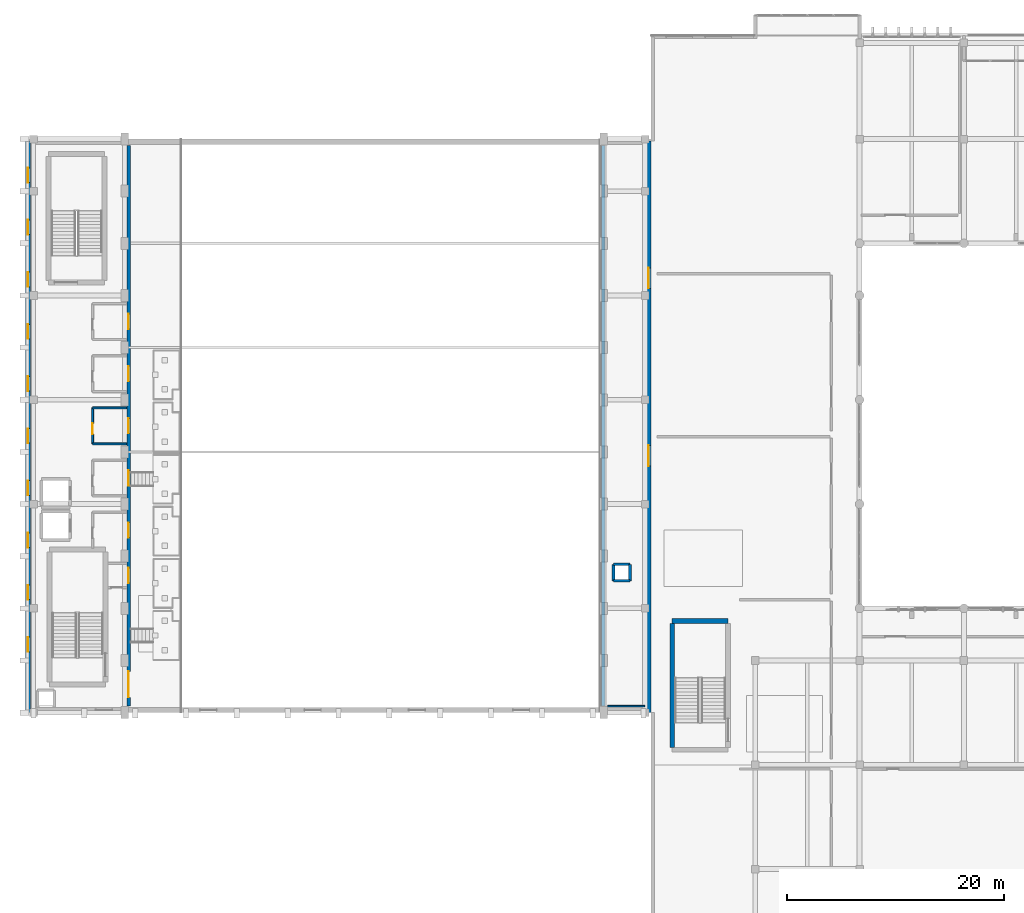
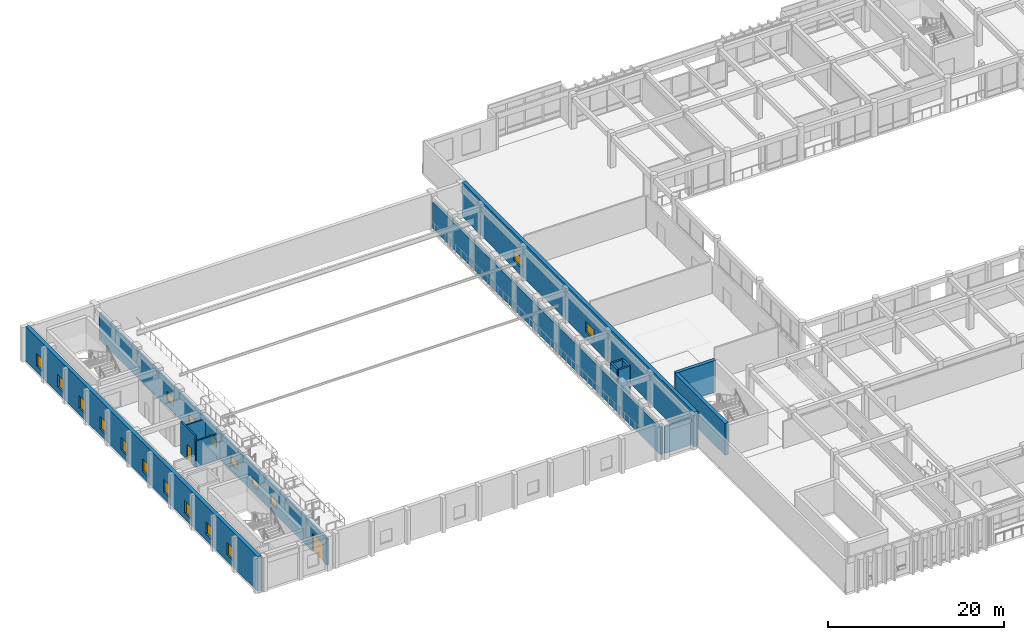
# One storey, part 99 of 133: 18 windows, 14 walls, 2 doors, 20 openings.
"""IFC4 building model written with IfcOpenShell, lengths in metres."""

from ifc_helpers import new_model, si_unit, direction, frame, frame_2d, origin, place, context, subcontext, project, spatial, rectangle, extrude, material, layer, layer_set, type_object, element, fill, save


model = new_model("IFC4")

# Units and contexts
model_context = context("Model", 3, precision=1e-05, world=origin(), true_north=direction((0.0, 1.0)))
body_context = subcontext(model_context, "Body", "Model", "MODEL_VIEW")
ifc_project = project(units=[si_unit("LENGTHUNIT", "METRE"), si_unit("AREAUNIT", "SQUARE_METRE"), si_unit("VOLUMEUNIT", "CUBIC_METRE"), si_unit("PLANEANGLEUNIT", "RADIAN"), si_unit("MASSUNIT", "GRAM", prefix="KILO")], contexts=[model_context])

# Site, building, storey
site_placement = place(None, origin())
site = spatial("IfcSite", under=ifc_project, at=site_placement, CompositionType="ELEMENT")
building_placement = place(site_placement, origin())
building = spatial("IfcBuilding", under=site, at=building_placement, Name="Nakhvara Creek Congress Hotel", CompositionType="ELEMENT")
storey_placement = place(building_placement, frame((0.0, 0.0, 11.39990234375)))
storey = spatial("IfcBuildingStorey", under=building, at=storey_placement, Name="L02", CompositionType="ELEMENT", Elevation=11.39990234375)

# Walls
ifc_material_1 = material(Name="Moisture-resistant blockwork and plaster", Category="masonry")
ifc_layer_1 = layer(ifc_material_1, 0.159912109375)
ifc_layer_set_1 = layer_set([ifc_layer_1], Name="Moisture-resistant blockwork and plaster")
wall_type_1 = type_object("IfcWallType", Name="W-BOH-160", PredefinedType="PARTITIONING", material=ifc_layer_set_1)
wall_1_placement = place(storey_placement, frame((53.60009765625, 34.199951171875, 0.0), z_axis=(0.0, 0.0, 1.0), x_axis=(1.0, 0.0, 0.0)))
element("IfcWall", 1, at=wall_1_placement, inside=storey, type_object=wall_type_1, Name="Interior Wall WP14-IW-L02-0125", PredefinedType="PARTITIONING", context=body_context, shape_type="SweptSolid", body=[
    extrude(rectangle(XDim=3.39990234375, YDim=0.159912109375, at=frame_2d((1.699951171875, 0.0))), origin(), (0.0, 0.0, 1.0), 3.692138671875),
])
ifc_material_2 = material(Name="Concrete C50/60", Category="concrete")
ifc_layer_2 = layer(ifc_material_2, 0.449951171875)
ifc_layer_set_2 = layer_set([ifc_layer_2], Name="Concrete C50/60")
wall_type_2 = type_object("IfcWallType", Name="W-CORE-450", PredefinedType="SHEAR", material=ifc_layer_set_2)
wall_2_placement = place(storey_placement, frame((59.550048828125, 42.02001953125, 0.0), z_axis=(0.0, 0.0, 1.0), x_axis=(1.0, 0.0, 0.0)))
element("IfcWall", 2, at=wall_2_placement, inside=storey, type_object=wall_type_2, Name="Core Shear Wall WS02-CWALL-L02-0996", PredefinedType="SHEAR", context=body_context, shape_type="SweptSolid", body=[
    extrude(rectangle(XDim=5.14990234375, YDim=0.449951171875, at=frame_2d((2.574951171875, 0.0))), origin(), (0.0, 0.0, 1.0), 4.420166015625),
])
wall_3_placement = place(storey_placement, frame((59.550048828125, 30.39990234375, 0.0), z_axis=(0.0, 0.0, 1.0), x_axis=(0.0, 1.0, 0.0)))
element("IfcWall", 3, at=wall_3_placement, inside=storey, type_object=wall_type_2, Name="Core Shear Wall WS02-CWALL-L02-0997", PredefinedType="SHEAR", context=body_context, shape_type="SweptSolid", body=[
    extrude(rectangle(XDim=11.400146484375, YDim=0.449951171875, at=frame_2d((5.7001953125, 0.0))), origin(), (0.0, 0.0, 1.0), 4.420166015625),
])

# Wall, openings, windows
ifc_material_3 = material(Name="Honed pale Omani limestone cladding", Category="masonry")
ifc_layer_3 = layer(ifc_material_3, 0.06005859375)
ifc_material_4 = material(Name="Mineral wool thermal insulation")
ifc_layer_4 = layer(ifc_material_4, 0.1201171875)
ifc_material_5 = material(Name="Precast concrete C40/50", Category="concrete")
ifc_layer_5 = layer(ifc_material_5, 0.300048828125)
ifc_layer_set_3 = layer_set([ifc_layer_3, ifc_layer_4, ifc_layer_5], Name="Precast concrete C40/50")
wall_type_3 = type_object("IfcWallType", Name="W-HALL-480", PredefinedType="SOLIDWALL", material=ifc_layer_set_3)
wall_4_placement = place(storey_placement, frame((0.239990234375, 33.60009765625, 0.0), z_axis=(0.0, 0.0, 1.0), x_axis=(0.0, 1.0, 0.0)))
wall_4 = element("IfcWall", 4, at=wall_4_placement, inside=storey, type_object=wall_type_3, Name="Exterior Wall WE01-EW-L02-0064", PredefinedType="SOLIDWALL", context=body_context, shape_type="SweptSolid", body=[
    extrude(rectangle(XDim=52.599853515625, YDim=0.47998046875, at=frame_2d((26.2998046875, 0.0))), origin(), (0.0, 0.0, 1.0), 4.800048828125),
])
opening_1_placement = place(wall_4_placement, frame((5.60009765625, 0.0, 0.85009765625)))
opening_1 = element("IfcOpeningElement", 5, at=opening_1_placement, cuts=wall_4, Name="Opening WN0067", PredefinedType="OPENING", context=body_context, shape_type="SweptSolid", body=[
    extrude(rectangle(XDim=1.35009765625, YDim=1.72998046875, at=frame_2d((0.675048828125, 0.864990234375))), frame((0.0, 0.251953125, 0.0), z_axis=(0.0, -1.0, 0.0), x_axis=(1.0, 0.0, 0.0)), (0.0, 0.0, 1.0), 0.50390625),
])
opening_2_placement = place(wall_4_placement, frame((10.39990234375, 0.0, 0.85009765625)))
opening_2 = element("IfcOpeningElement", 6, at=opening_2_placement, cuts=wall_4, Name="Opening WN0068", PredefinedType="OPENING", context=body_context, shape_type="SweptSolid", body=[
    extrude(rectangle(XDim=1.35009765625, YDim=1.72998046875, at=frame_2d((0.675048828125, 0.864990234375))), frame((0.0, 0.251953125, 0.0), z_axis=(0.0, -1.0, 0.0), x_axis=(1.0, 0.0, 0.0)), (0.0, 0.0, 1.0), 0.50390625),
])
opening_3_placement = place(wall_4_placement, frame((15.199951171875, 0.0, 0.85009765625)))
opening_3 = element("IfcOpeningElement", 7, at=opening_3_placement, cuts=wall_4, Name="Opening WN0069", PredefinedType="OPENING", context=body_context, shape_type="SweptSolid", body=[
    extrude(rectangle(XDim=1.35009765625, YDim=1.72998046875, at=frame_2d((0.675048828125, 0.864990234375))), frame((0.0, 0.251953125, 0.0), z_axis=(0.0, -1.0, 0.0), x_axis=(1.0, 0.0, 0.0)), (0.0, 0.0, 1.0), 0.50390625),
])
opening_4_placement = place(wall_4_placement, frame((20.0, 0.0, 0.85009765625)))
opening_4 = element("IfcOpeningElement", 8, at=opening_4_placement, cuts=wall_4, Name="Opening WN0070", PredefinedType="OPENING", context=body_context, shape_type="SweptSolid", body=[
    extrude(rectangle(XDim=1.35009765625, YDim=1.72998046875, at=frame_2d((0.675048828125, 0.864990234375))), frame((0.0, 0.251953125, 0.0), z_axis=(0.0, -1.0, 0.0), x_axis=(1.0, 0.0, 0.0)), (0.0, 0.0, 1.0), 0.50390625),
])
opening_5_placement = place(wall_4_placement, frame((24.800048828125, 0.0, 0.85009765625)))
opening_5 = element("IfcOpeningElement", 9, at=opening_5_placement, cuts=wall_4, Name="Opening WN0071", PredefinedType="OPENING", context=body_context, shape_type="SweptSolid", body=[
    extrude(rectangle(XDim=1.35009765625, YDim=1.72998046875, at=frame_2d((0.675048828125, 0.864990234375))), frame((0.0, 0.251953125, 0.0), z_axis=(0.0, -1.0, 0.0), x_axis=(1.0, 0.0, 0.0)), (0.0, 0.0, 1.0), 0.50390625),
])
opening_6_placement = place(wall_4_placement, frame((29.60009765625, 0.0, 0.85009765625)))
opening_6 = element("IfcOpeningElement", 10, at=opening_6_placement, cuts=wall_4, Name="Opening WN0072", PredefinedType="OPENING", context=body_context, shape_type="SweptSolid", body=[
    extrude(rectangle(XDim=1.35009765625, YDim=1.72998046875, at=frame_2d((0.675048828125, 0.864990234375))), frame((0.0, 0.251953125, 0.0), z_axis=(0.0, -1.0, 0.0), x_axis=(1.0, 0.0, 0.0)), (0.0, 0.0, 1.0), 0.50390625),
])
opening_7_placement = place(wall_4_placement, frame((34.39990234375, 0.0, 0.85009765625)))
opening_7 = element("IfcOpeningElement", 11, at=opening_7_placement, cuts=wall_4, Name="Opening WN0073", PredefinedType="OPENING", context=body_context, shape_type="SweptSolid", body=[
    extrude(rectangle(XDim=1.35009765625, YDim=1.72998046875, at=frame_2d((0.675048828125, 0.864990234375))), frame((0.0, 0.251953125, 0.0), z_axis=(0.0, -1.0, 0.0), x_axis=(1.0, 0.0, 0.0)), (0.0, 0.0, 1.0), 0.50390625),
])
opening_8_placement = place(wall_4_placement, frame((39.199951171875, 0.0, 0.85009765625)))
opening_8 = element("IfcOpeningElement", 12, at=opening_8_placement, cuts=wall_4, Name="Opening WN0074", PredefinedType="OPENING", context=body_context, shape_type="SweptSolid", body=[
    extrude(rectangle(XDim=1.35009765625, YDim=1.72998046875, at=frame_2d((0.675048828125, 0.864990234375))), frame((0.0, 0.251953125, 0.0), z_axis=(0.0, -1.0, 0.0), x_axis=(1.0, 0.0, 0.0)), (0.0, 0.0, 1.0), 0.50390625),
])
opening_9_placement = place(wall_4_placement, frame((44.0, 0.0, 0.85009765625)))
opening_9 = element("IfcOpeningElement", 13, at=opening_9_placement, cuts=wall_4, Name="Opening WN0075", PredefinedType="OPENING", context=body_context, shape_type="SweptSolid", body=[
    extrude(rectangle(XDim=1.35009765625, YDim=1.72998046875, at=frame_2d((0.675048828125, 0.864990234375))), frame((0.0, 0.251953125, 0.0), z_axis=(0.0, -1.0, 0.0), x_axis=(1.0, 0.0, 0.0)), (0.0, 0.0, 1.0), 0.50390625),
])
opening_10_placement = place(wall_4_placement, frame((48.800048828125, 0.0, 0.85009765625)))
opening_10 = element("IfcOpeningElement", 14, at=opening_10_placement, cuts=wall_4, Name="Opening WN0076", PredefinedType="OPENING", context=body_context, shape_type="SweptSolid", body=[
    extrude(rectangle(XDim=1.35009765625, YDim=1.72998046875, at=frame_2d((0.675048828125, 0.864990234375))), frame((0.0, 0.251953125, 0.0), z_axis=(0.0, -1.0, 0.0), x_axis=(1.0, 0.0, 0.0)), (0.0, 0.0, 1.0), 0.50390625),
])
ifc_material_6 = material(Name="Thermally broken bronze-anodised aluminium and double-silver low-E insulated glass", Category="aluminium")
window_type_1 = type_object("IfcWindowType", Name="WN-LAN-135X220", PartitioningType="SINGLE_PANEL", PredefinedType="WINDOW", material=ifc_material_6)
window_1_placement = place(opening_1_placement, origin())
window_1 = element("IfcWindow", 15, at=window_1_placement, inside=storey, type_object=window_type_1, Name="Facade Window WN0067", OverallHeight=1.72998046875, OverallWidth=1.35009765625, PartitioningType="SINGLE_PANEL", PredefinedType="WINDOW", context=body_context, shape_type="SweptSolid", body=[
    extrude(rectangle(XDim=1.35009765625, YDim=1.72998046875, at=frame_2d((0.675048828125, 0.864990234375))), frame((0.0, 0.030029296875, 0.0), z_axis=(0.0, -1.0, 0.0), x_axis=(1.0, 0.0, 0.0)), (0.0, 0.0, 1.0), 0.06005859375),
])
fill(opening_1, window_1)
window_2_placement = place(opening_2_placement, origin())
window_2 = element("IfcWindow", 16, at=window_2_placement, inside=storey, type_object=window_type_1, Name="Facade Window WN0068", OverallHeight=1.72998046875, OverallWidth=1.35009765625, PartitioningType="SINGLE_PANEL", PredefinedType="WINDOW", context=body_context, shape_type="SweptSolid", body=[
    extrude(rectangle(XDim=1.35009765625, YDim=1.72998046875, at=frame_2d((0.675048828125, 0.864990234375))), frame((0.0, 0.030029296875, 0.0), z_axis=(0.0, -1.0, 0.0), x_axis=(1.0, 0.0, 0.0)), (0.0, 0.0, 1.0), 0.06005859375),
])
fill(opening_2, window_2)
window_3_placement = place(opening_3_placement, origin())
window_3 = element("IfcWindow", 17, at=window_3_placement, inside=storey, type_object=window_type_1, Name="Facade Window WN0069", OverallHeight=1.72998046875, OverallWidth=1.35009765625, PartitioningType="SINGLE_PANEL", PredefinedType="WINDOW", context=body_context, shape_type="SweptSolid", body=[
    extrude(rectangle(XDim=1.35009765625, YDim=1.72998046875, at=frame_2d((0.675048828125, 0.864990234375))), frame((0.0, 0.030029296875, 0.0), z_axis=(0.0, -1.0, 0.0), x_axis=(1.0, 0.0, 0.0)), (0.0, 0.0, 1.0), 0.06005859375),
])
fill(opening_3, window_3)
window_4_placement = place(opening_4_placement, origin())
window_4 = element("IfcWindow", 18, at=window_4_placement, inside=storey, type_object=window_type_1, Name="Facade Window WN0070", OverallHeight=1.72998046875, OverallWidth=1.35009765625, PartitioningType="SINGLE_PANEL", PredefinedType="WINDOW", context=body_context, shape_type="SweptSolid", body=[
    extrude(rectangle(XDim=1.35009765625, YDim=1.72998046875, at=frame_2d((0.675048828125, 0.864990234375))), frame((0.0, 0.030029296875, 0.0), z_axis=(0.0, -1.0, 0.0), x_axis=(1.0, 0.0, 0.0)), (0.0, 0.0, 1.0), 0.06005859375),
])
fill(opening_4, window_4)
window_5_placement = place(opening_5_placement, origin())
window_5 = element("IfcWindow", 19, at=window_5_placement, inside=storey, type_object=window_type_1, Name="Facade Window WN0071", OverallHeight=1.72998046875, OverallWidth=1.35009765625, PartitioningType="SINGLE_PANEL", PredefinedType="WINDOW", context=body_context, shape_type="SweptSolid", body=[
    extrude(rectangle(XDim=1.35009765625, YDim=1.72998046875, at=frame_2d((0.675048828125, 0.864990234375))), frame((0.0, 0.030029296875, 0.0), z_axis=(0.0, -1.0, 0.0), x_axis=(1.0, 0.0, 0.0)), (0.0, 0.0, 1.0), 0.06005859375),
])
fill(opening_5, window_5)
window_6_placement = place(opening_6_placement, origin())
window_6 = element("IfcWindow", 20, at=window_6_placement, inside=storey, type_object=window_type_1, Name="Facade Window WN0072", OverallHeight=1.72998046875, OverallWidth=1.35009765625, PartitioningType="SINGLE_PANEL", PredefinedType="WINDOW", context=body_context, shape_type="SweptSolid", body=[
    extrude(rectangle(XDim=1.35009765625, YDim=1.72998046875, at=frame_2d((0.675048828125, 0.864990234375))), frame((0.0, 0.030029296875, 0.0), z_axis=(0.0, -1.0, 0.0), x_axis=(1.0, 0.0, 0.0)), (0.0, 0.0, 1.0), 0.06005859375),
])
fill(opening_6, window_6)
window_7_placement = place(opening_7_placement, origin())
window_7 = element("IfcWindow", 21, at=window_7_placement, inside=storey, type_object=window_type_1, Name="Facade Window WN0073", OverallHeight=1.72998046875, OverallWidth=1.35009765625, PartitioningType="SINGLE_PANEL", PredefinedType="WINDOW", context=body_context, shape_type="SweptSolid", body=[
    extrude(rectangle(XDim=1.35009765625, YDim=1.72998046875, at=frame_2d((0.675048828125, 0.864990234375))), frame((0.0, 0.030029296875, 0.0), z_axis=(0.0, -1.0, 0.0), x_axis=(1.0, 0.0, 0.0)), (0.0, 0.0, 1.0), 0.06005859375),
])
fill(opening_7, window_7)
window_8_placement = place(opening_8_placement, origin())
window_8 = element("IfcWindow", 22, at=window_8_placement, inside=storey, type_object=window_type_1, Name="Facade Window WN0074", OverallHeight=1.72998046875, OverallWidth=1.35009765625, PartitioningType="SINGLE_PANEL", PredefinedType="WINDOW", context=body_context, shape_type="SweptSolid", body=[
    extrude(rectangle(XDim=1.35009765625, YDim=1.72998046875, at=frame_2d((0.675048828125, 0.864990234375))), frame((0.0, 0.030029296875, 0.0), z_axis=(0.0, -1.0, 0.0), x_axis=(1.0, 0.0, 0.0)), (0.0, 0.0, 1.0), 0.06005859375),
])
fill(opening_8, window_8)
window_9_placement = place(opening_9_placement, origin())
window_9 = element("IfcWindow", 23, at=window_9_placement, inside=storey, type_object=window_type_1, Name="Facade Window WN0075", OverallHeight=1.72998046875, OverallWidth=1.35009765625, PartitioningType="SINGLE_PANEL", PredefinedType="WINDOW", context=body_context, shape_type="SweptSolid", body=[
    extrude(rectangle(XDim=1.35009765625, YDim=1.72998046875, at=frame_2d((0.675048828125, 0.864990234375))), frame((0.0, 0.030029296875, 0.0), z_axis=(0.0, -1.0, 0.0), x_axis=(1.0, 0.0, 0.0)), (0.0, 0.0, 1.0), 0.06005859375),
])
fill(opening_9, window_9)
window_10_placement = place(opening_10_placement, origin())
window_10 = element("IfcWindow", 24, at=window_10_placement, inside=storey, type_object=window_type_1, Name="Facade Window WN0076", OverallHeight=1.72998046875, OverallWidth=1.35009765625, PartitioningType="SINGLE_PANEL", PredefinedType="WINDOW", context=body_context, shape_type="SweptSolid", body=[
    extrude(rectangle(XDim=1.35009765625, YDim=1.72998046875, at=frame_2d((0.675048828125, 0.864990234375))), frame((0.0, 0.030029296875, 0.0), z_axis=(0.0, -1.0, 0.0), x_axis=(1.0, 0.0, 0.0)), (0.0, 0.0, 1.0), 0.06005859375),
])
fill(opening_10, window_10)

wall_5_placement = place(storey_placement, frame((57.360107421875, 86.199951171875, 0.0), z_axis=(0.0, 0.0, 1.0), x_axis=(0.0, -1.0, 0.0)))
wall_5 = element("IfcWall", 25, at=wall_5_placement, inside=storey, type_object=wall_type_3, Name="Exterior Wall WE01-EW-L02-0065", PredefinedType="SOLIDWALL", context=body_context, shape_type="SweptSolid", body=[
    extrude(rectangle(XDim=52.599853515625, YDim=0.47998046875, at=frame_2d((26.2998046875, 0.0))), origin(), (0.0, 0.0, 1.0), 4.800048828125),
])
opening_11_placement = place(wall_5_placement, frame((11.64990234375, 0.0, 1.0)))
opening_11 = element("IfcOpeningElement", 26, at=opening_11_placement, cuts=wall_5, Name="Opening WN0077", PredefinedType="OPENING", context=body_context, shape_type="SweptSolid", body=[
    extrude(rectangle(XDim=1.89990234375, YDim=1.449951171875, at=frame_2d((0.949951171875, 0.72509765625))), frame((0.0, 0.251953125, 0.0), z_axis=(0.0, -1.0, 0.0), x_axis=(1.0, 0.0, 0.0)), (0.0, 0.0, 1.0), 0.50390625),
])
opening_12_placement = place(wall_5_placement, frame((28.0, 0.0, 1.0)))
opening_12 = element("IfcOpeningElement", 27, at=opening_12_placement, cuts=wall_5, Name="Opening WN0078", PredefinedType="OPENING", context=body_context, shape_type="SweptSolid", body=[
    extrude(rectangle(XDim=1.89990234375, YDim=1.449951171875, at=frame_2d((0.949951171875, 0.72509765625))), frame((0.0, 0.251953125, 0.0), z_axis=(0.0, -1.0, 0.0), x_axis=(1.0, 0.0, 0.0)), (0.0, 0.0, 1.0), 0.50390625),
])
window_type_2 = type_object("IfcWindowType", Name="WN-CLR-190X145", PartitioningType="SINGLE_PANEL", PredefinedType="WINDOW", material=ifc_material_6)
window_11_placement = place(opening_11_placement, origin())
window_11 = element("IfcWindow", 28, at=window_11_placement, inside=storey, type_object=window_type_2, Name="Facade Window WN0077", OverallHeight=1.449951171875, OverallWidth=1.89990234375, PartitioningType="SINGLE_PANEL", PredefinedType="WINDOW", context=body_context, shape_type="SweptSolid", body=[
    extrude(rectangle(XDim=1.89990234375, YDim=1.449951171875, at=frame_2d((0.949951171875, 0.72509765625))), frame((0.0, 0.030029296875, 0.0), z_axis=(0.0, -1.0, 0.0), x_axis=(1.0, 0.0, 0.0)), (0.0, 0.0, 1.0), 0.06005859375),
])
fill(opening_11, window_11)
window_12_placement = place(opening_12_placement, origin())
window_12 = element("IfcWindow", 29, at=window_12_placement, inside=storey, type_object=window_type_2, Name="Facade Window WN0078", OverallHeight=1.449951171875, OverallWidth=1.89990234375, PartitioningType="SINGLE_PANEL", PredefinedType="WINDOW", context=body_context, shape_type="SweptSolid", body=[
    extrude(rectangle(XDim=1.89990234375, YDim=1.449951171875, at=frame_2d((0.949951171875, 0.72509765625))), frame((0.0, 0.030029296875, 0.0), z_axis=(0.0, -1.0, 0.0), x_axis=(1.0, 0.0, 0.0)), (0.0, 0.0, 1.0), 0.06005859375),
])
fill(opening_12, window_12)

# Wall, opening, door
ifc_material_7 = material(Name="Gypsum acoustic board on steel stud", Category="steel")
ifc_layer_6 = layer(ifc_material_7, 0.179931640625)
ifc_layer_set_4 = layer_set([ifc_layer_6], Name="Gypsum acoustic board on steel stud")
wall_type_4 = type_object("IfcWallType", Name="W-MEET-180", PredefinedType="PARTITIONING", material=ifc_layer_set_4)
wall_6_placement = place(storey_placement, frame((6.199951171875, 58.35009765625, 0.0), z_axis=(0.0, 0.0, 1.0), x_axis=(0.0, 1.0, 0.0)))
wall_6 = element("IfcWall", 30, at=wall_6_placement, inside=storey, type_object=wall_type_4, Name="Interior Wall WP13-IW-L02-0018", PredefinedType="PARTITIONING", context=body_context, shape_type="SweptSolid", body=[
    extrude(rectangle(XDim=3.2998046875, YDim=0.179931640625, at=frame_2d((1.64990234375, 0.0))), origin(), (0.0, 0.0, 1.0), 4.420166015625),
])
opening_13_placement = place(wall_6_placement, frame((0.89990234375, 0.0, 0.0)))
opening_13 = element("IfcOpeningElement", 31, at=opening_13_placement, cuts=wall_6, Name="Opening MD03", PredefinedType="OPENING", context=body_context, shape_type="SweptSolid", body=[
    extrude(rectangle(XDim=0.97998046875, YDim=2.14990234375, at=frame_2d((0.489990234375, 1.074951171875))), frame((0.0, 0.10205078125, 0.0), z_axis=(0.0, -1.0, 0.0), x_axis=(1.0, 0.0, 0.0)), (0.0, 0.0, 1.0), 0.203857421875),
])
ifc_material_8 = material(Name="Acoustic ISO 2603 sound-lock timber door", Category="wood")
door_type_1 = type_object("IfcDoorType", Name="DT-ISO-098", OperationType="NOTDEFINED", PredefinedType="DOOR", material=ifc_material_8)
door_1_placement = place(opening_13_placement, frame((0.97998046875, 0.0, 0.0), z_axis=(0.0, 0.0, 1.0), x_axis=(-1.0, 0.0, 0.0)))
door_1 = element("IfcDoor", 32, at=door_1_placement, inside=storey, type_object=door_type_1, Name="Interior Door MD03-0020", OperationType="SINGLE_SWING_LEFT", OverallHeight=2.14990234375, OverallWidth=0.97998046875, PredefinedType="DOOR", context=body_context, shape_type="SweptSolid", body=[
    extrude(rectangle(XDim=0.97998046875, YDim=2.14990234375, at=frame_2d((0.489990234375, 1.074951171875))), frame((0.0, 0.02490234375, 0.0), z_axis=(0.0, -1.0, 0.0), x_axis=(1.0, 0.0, 0.0)), (0.0, 0.0, 1.0), 0.050048828125),
])
fill(opening_13, door_1)

# Walls
for number, where, z_axis, x_axis, name in (
    (33, (6.199951171875, 58.35009765625, 0.0), (0.0, 0.0, 1.0), (1.0, 0.0, 0.0), "Interior Wall WP13-IW-L02-0019"),
    (34, (6.199951171875, 61.64990234375, 0.0), (0.0, 0.0, 1.0), (1.0, 0.0, 0.0), "Interior Wall WP13-IW-L02-0020"),
):
    element("IfcWall", number, at=place(storey_placement, frame(where, z_axis=z_axis, x_axis=x_axis)), inside=storey, type_object=wall_type_4, Name=name, PredefinedType="PARTITIONING", context=body_context, shape_type="SweptSolid", body=[
        extrude(rectangle(XDim=3.1201171875, YDim=0.179931640625, at=frame_2d((1.56005859375, 0.0))), origin(), (0.0, 0.0, 1.0), 3.692138671875),
    ])

# Wall, openings, door, windows
ifc_material_9 = material(Name="Concrete C40/50", Category="concrete")
ifc_layer_7 = layer(ifc_material_9, 0.320068359375)
ifc_layer_set_5 = layer_set([ifc_layer_7], Name="Concrete C40/50")
wall_type_5 = type_object("IfcWallType", Name="W-SEP-320", PredefinedType="SOLIDWALL", material=ifc_layer_set_5)
wall_7_placement = place(storey_placement, frame((9.5, 34.199951171875, 0.0), z_axis=(0.0, 0.0, 1.0), x_axis=(0.0, 1.0, 0.0)))
wall_7 = element("IfcWall", 35, at=wall_7_placement, inside=storey, type_object=wall_type_5, Name="Interior Wall WI01-IW-L02-0009", PredefinedType="SOLIDWALL", context=body_context, shape_type="SweptSolid", body=[
    extrude(rectangle(XDim=51.60009765625, YDim=0.320068359375, at=frame_2d((25.800048828125, 0.0))), origin(), (0.0, 0.0, 1.0), 3.692138671875),
])
opening_14_placement = place(wall_7_placement, frame((0.800048828125, 0.0, 0.0)))
opening_14 = element("IfcOpeningElement", 36, at=opening_14_placement, cuts=wall_7, Name="Opening FD08", PredefinedType="OPENING", context=body_context, shape_type="SweptSolid", body=[
    extrude(rectangle(XDim=2.39990234375, YDim=2.5, at=frame_2d((1.199951171875, 1.25))), frame((0.0, 0.171875, 0.0), z_axis=(0.0, -1.0, 0.0), x_axis=(1.0, 0.0, 0.0)), (0.0, 0.0, 1.0), 0.343994140625),
])
opening_15_placement = place(wall_7_placement, frame((11.324951171875, 0.0, 0.949951171875)))
opening_15 = element("IfcOpeningElement", 37, at=opening_15_placement, cuts=wall_7, Name="Opening WI01", PredefinedType="OPENING", context=body_context, shape_type="SweptSolid", body=[
    extrude(rectangle(XDim=1.39990234375, YDim=1.10009765625, at=frame_2d((0.699951171875, 0.550048828125))), frame((0.0, 0.171875, 0.0), z_axis=(0.0, -1.0, 0.0), x_axis=(1.0, 0.0, 0.0)), (0.0, 0.0, 1.0), 0.343994140625),
])
opening_16_placement = place(wall_7_placement, frame((15.5, 0.0, 0.949951171875)))
opening_16 = element("IfcOpeningElement", 38, at=opening_16_placement, cuts=wall_7, Name="Opening WI02", PredefinedType="OPENING", context=body_context, shape_type="SweptSolid", body=[
    extrude(rectangle(XDim=1.39990234375, YDim=1.10009765625, at=frame_2d((0.699951171875, 0.550048828125))), frame((0.0, 0.171875, 0.0), z_axis=(0.0, -1.0, 0.0), x_axis=(1.0, 0.0, 0.0)), (0.0, 0.0, 1.0), 0.343994140625),
])
opening_17_placement = place(wall_7_placement, frame((20.300048828125, 0.0, 0.949951171875)))
opening_17 = element("IfcOpeningElement", 39, at=opening_17_placement, cuts=wall_7, Name="Opening WI03", PredefinedType="OPENING", context=body_context, shape_type="SweptSolid", body=[
    extrude(rectangle(XDim=1.39990234375, YDim=1.10009765625, at=frame_2d((0.699951171875, 0.550048828125))), frame((0.0, 0.171875, 0.0), z_axis=(0.0, -1.0, 0.0), x_axis=(1.0, 0.0, 0.0)), (0.0, 0.0, 1.0), 0.343994140625),
])
opening_18_placement = place(wall_7_placement, frame((25.10009765625, 0.0, 0.949951171875)))
opening_18 = element("IfcOpeningElement", 40, at=opening_18_placement, cuts=wall_7, Name="Opening WI04", PredefinedType="OPENING", context=body_context, shape_type="SweptSolid", body=[
    extrude(rectangle(XDim=1.39990234375, YDim=1.10009765625, at=frame_2d((0.699951171875, 0.550048828125))), frame((0.0, 0.171875, 0.0), z_axis=(0.0, -1.0, 0.0), x_axis=(1.0, 0.0, 0.0)), (0.0, 0.0, 1.0), 0.343994140625),
])
opening_19_placement = place(wall_7_placement, frame((29.89990234375, 0.0, 0.949951171875)))
opening_19 = element("IfcOpeningElement", 41, at=opening_19_placement, cuts=wall_7, Name="Opening WI05", PredefinedType="OPENING", context=body_context, shape_type="SweptSolid", body=[
    extrude(rectangle(XDim=1.39990234375, YDim=1.10009765625, at=frame_2d((0.699951171875, 0.550048828125))), frame((0.0, 0.171875, 0.0), z_axis=(0.0, -1.0, 0.0), x_axis=(1.0, 0.0, 0.0)), (0.0, 0.0, 1.0), 0.343994140625),
])
opening_20_placement = place(wall_7_placement, frame((34.699951171875, 0.0, 0.949951171875)))
opening_20 = element("IfcOpeningElement", 42, at=opening_20_placement, cuts=wall_7, Name="Opening WI06", PredefinedType="OPENING", context=body_context, shape_type="SweptSolid", body=[
    extrude(rectangle(XDim=1.39990234375, YDim=1.199951171875, at=frame_2d((0.699951171875, 0.60009765625))), frame((0.0, 0.171875, 0.0), z_axis=(0.0, -1.0, 0.0), x_axis=(1.0, 0.0, 0.0)), (0.0, 0.0, 1.0), 0.343994140625),
])
ifc_material_10 = material(Name="Acoustic hardwood and steel core fire door", Category="steel")
door_type_2 = type_object("IfcDoorType", Name="DT-HALL-240", OperationType="DOUBLE_DOOR_SINGLE_SWING", PredefinedType="DOOR", material=ifc_material_10)
door_2_placement = place(opening_14_placement, origin())
door_2 = element("IfcDoor", 43, at=door_2_placement, inside=storey, type_object=door_type_2, Name="Interior Door FD08-0016", OperationType="DOUBLE_DOOR_SINGLE_SWING", OverallHeight=2.5, OverallWidth=2.39990234375, PredefinedType="DOOR", context=body_context, shape_type="SweptSolid", body=[
    extrude(rectangle(XDim=2.39990234375, YDim=2.5, at=frame_2d((1.199951171875, 1.25))), frame((0.0, 0.02490234375, 0.0), z_axis=(0.0, -1.0, 0.0), x_axis=(1.0, 0.0, 0.0)), (0.0, 0.0, 1.0), 0.050048828125),
])
fill(opening_14, door_2)
window_type_3 = type_object("IfcWindowType", Name="WN-CTL-220X120", PartitioningType="SINGLE_PANEL", PredefinedType="WINDOW", material=ifc_material_6)
window_13_placement = place(opening_20_placement, origin())
window_13 = element("IfcWindow", 44, at=window_13_placement, inside=storey, type_object=window_type_3, Name="ISO Interpretation Vision Window WI06", OverallHeight=1.199951171875, OverallWidth=1.39990234375, PartitioningType="SINGLE_PANEL", PredefinedType="WINDOW", context=body_context, shape_type="SweptSolid", body=[
    extrude(rectangle(XDim=1.39990234375, YDim=1.199951171875, at=frame_2d((0.699951171875, 0.60009765625))), frame((0.0, 0.030029296875, 0.0), z_axis=(0.0, -1.0, 0.0), x_axis=(1.0, 0.0, 0.0)), (0.0, 0.0, 1.0), 0.06005859375),
])
fill(opening_20, window_13)
window_type_4 = type_object("IfcWindowType", Name="WN-ISO-180X110", PartitioningType="SINGLE_PANEL", PredefinedType="WINDOW", material=ifc_material_6)
window_14_placement = place(opening_15_placement, origin())
window_14 = element("IfcWindow", 45, at=window_14_placement, inside=storey, type_object=window_type_4, Name="ISO Interpretation Vision Window WI01", OverallHeight=1.10009765625, OverallWidth=1.39990234375, PartitioningType="SINGLE_PANEL", PredefinedType="WINDOW", context=body_context, shape_type="SweptSolid", body=[
    extrude(rectangle(XDim=1.39990234375, YDim=1.10009765625, at=frame_2d((0.699951171875, 0.550048828125))), frame((0.0, 0.030029296875, 0.0), z_axis=(0.0, -1.0, 0.0), x_axis=(1.0, 0.0, 0.0)), (0.0, 0.0, 1.0), 0.06005859375),
])
fill(opening_15, window_14)
window_15_placement = place(opening_16_placement, origin())
window_15 = element("IfcWindow", 46, at=window_15_placement, inside=storey, type_object=window_type_4, Name="ISO Interpretation Vision Window WI02", OverallHeight=1.10009765625, OverallWidth=1.39990234375, PartitioningType="SINGLE_PANEL", PredefinedType="WINDOW", context=body_context, shape_type="SweptSolid", body=[
    extrude(rectangle(XDim=1.39990234375, YDim=1.10009765625, at=frame_2d((0.699951171875, 0.550048828125))), frame((0.0, 0.030029296875, 0.0), z_axis=(0.0, -1.0, 0.0), x_axis=(1.0, 0.0, 0.0)), (0.0, 0.0, 1.0), 0.06005859375),
])
fill(opening_16, window_15)
window_16_placement = place(opening_17_placement, origin())
window_16 = element("IfcWindow", 47, at=window_16_placement, inside=storey, type_object=window_type_4, Name="ISO Interpretation Vision Window WI03", OverallHeight=1.10009765625, OverallWidth=1.39990234375, PartitioningType="SINGLE_PANEL", PredefinedType="WINDOW", context=body_context, shape_type="SweptSolid", body=[
    extrude(rectangle(XDim=1.39990234375, YDim=1.10009765625, at=frame_2d((0.699951171875, 0.550048828125))), frame((0.0, 0.030029296875, 0.0), z_axis=(0.0, -1.0, 0.0), x_axis=(1.0, 0.0, 0.0)), (0.0, 0.0, 1.0), 0.06005859375),
])
fill(opening_17, window_16)
window_17_placement = place(opening_18_placement, origin())
window_17 = element("IfcWindow", 48, at=window_17_placement, inside=storey, type_object=window_type_4, Name="ISO Interpretation Vision Window WI04", OverallHeight=1.10009765625, OverallWidth=1.39990234375, PartitioningType="SINGLE_PANEL", PredefinedType="WINDOW", context=body_context, shape_type="SweptSolid", body=[
    extrude(rectangle(XDim=1.39990234375, YDim=1.10009765625, at=frame_2d((0.699951171875, 0.550048828125))), frame((0.0, 0.030029296875, 0.0), z_axis=(0.0, -1.0, 0.0), x_axis=(1.0, 0.0, 0.0)), (0.0, 0.0, 1.0), 0.06005859375),
])
fill(opening_18, window_17)
window_18_placement = place(opening_19_placement, origin())
window_18 = element("IfcWindow", 49, at=window_18_placement, inside=storey, type_object=window_type_4, Name="ISO Interpretation Vision Window WI05", OverallHeight=1.10009765625, OverallWidth=1.39990234375, PartitioningType="SINGLE_PANEL", PredefinedType="WINDOW", context=body_context, shape_type="SweptSolid", body=[
    extrude(rectangle(XDim=1.39990234375, YDim=1.10009765625, at=frame_2d((0.699951171875, 0.550048828125))), frame((0.0, 0.030029296875, 0.0), z_axis=(0.0, -1.0, 0.0), x_axis=(1.0, 0.0, 0.0)), (0.0, 0.0, 1.0), 0.06005859375),
])
fill(opening_19, window_18)

# Walls
wall_8_placement = place(storey_placement, frame((53.199951171875, 34.199951171875, 0.0), z_axis=(0.0, 0.0, 1.0), x_axis=(0.0, 1.0, 0.0)))
element("IfcWall", 50, at=wall_8_placement, inside=storey, type_object=wall_type_5, Name="Interior Wall WI01-IW-L02-0010", PredefinedType="SOLIDWALL", context=body_context, shape_type="SweptSolid", body=[
    extrude(rectangle(XDim=51.60009765625, YDim=0.320068359375, at=frame_2d((25.800048828125, 0.0))), origin(), (0.0, 0.0, 1.0), 3.692138671875),
])
ifc_layer_8 = layer(ifc_material_9, 0.25)
ifc_layer_set_6 = layer_set([ifc_layer_8], Name="Concrete C40/50")
wall_type_6 = type_object("IfcWallType", Name="W-SHAFT-250", PredefinedType="SOLIDWALL", material=ifc_layer_set_6)
for number, where, z_axis, x_axis, name in (
    (51, (54.139892578125, 45.739990234375, 0.0), (0.0, 0.0, 1.0), (1.0, 0.0, 0.0), "MEP Riser Enclosure Wall L02-020"),
    (52, (55.659912109375, 45.739990234375, 0.0), (0.0, 0.0, 1.0), (0.0, 1.0, 0.0), "MEP Riser Enclosure Wall L02-021"),
    (53, (55.659912109375, 47.260009765625, 0.0), (0.0, 0.0, 1.0), (-1.0, 0.0, 0.0), "MEP Riser Enclosure Wall L02-022"),
    (54, (54.139892578125, 47.260009765625, 0.0), (0.0, 0.0, 1.0), (0.0, -1.0, 0.0), "MEP Riser Enclosure Wall L02-023"),
):
    element("IfcWall", number, at=place(storey_placement, frame(where, z_axis=z_axis, x_axis=x_axis)), inside=storey, type_object=wall_type_6, Name=name, PredefinedType="SOLIDWALL", context=body_context, shape_type="SweptSolid", body=[
        extrude(rectangle(XDim=1.52001953125, YDim=0.25, at=frame_2d((0.760009765625, 0.0))), origin(), (0.0, 0.0, 1.0), 4.420166015625),
    ])

save(model, "model.ifc")
